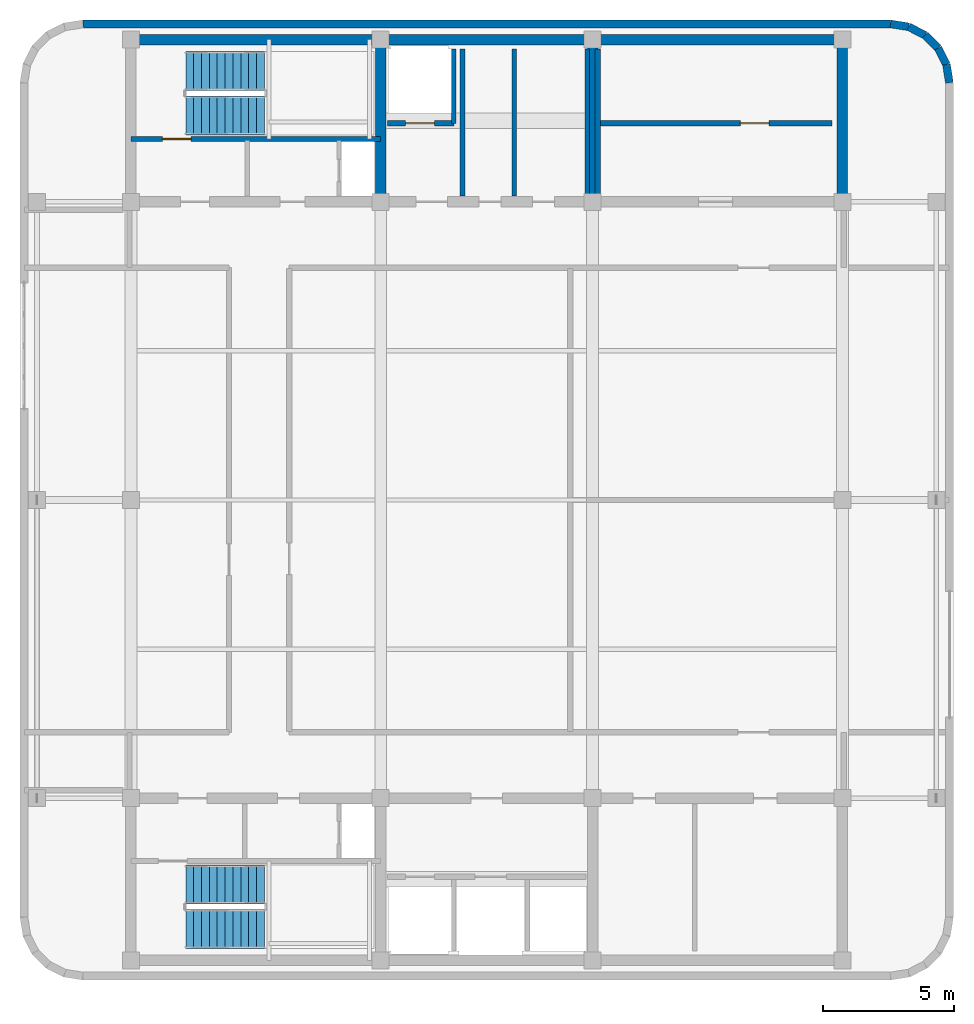
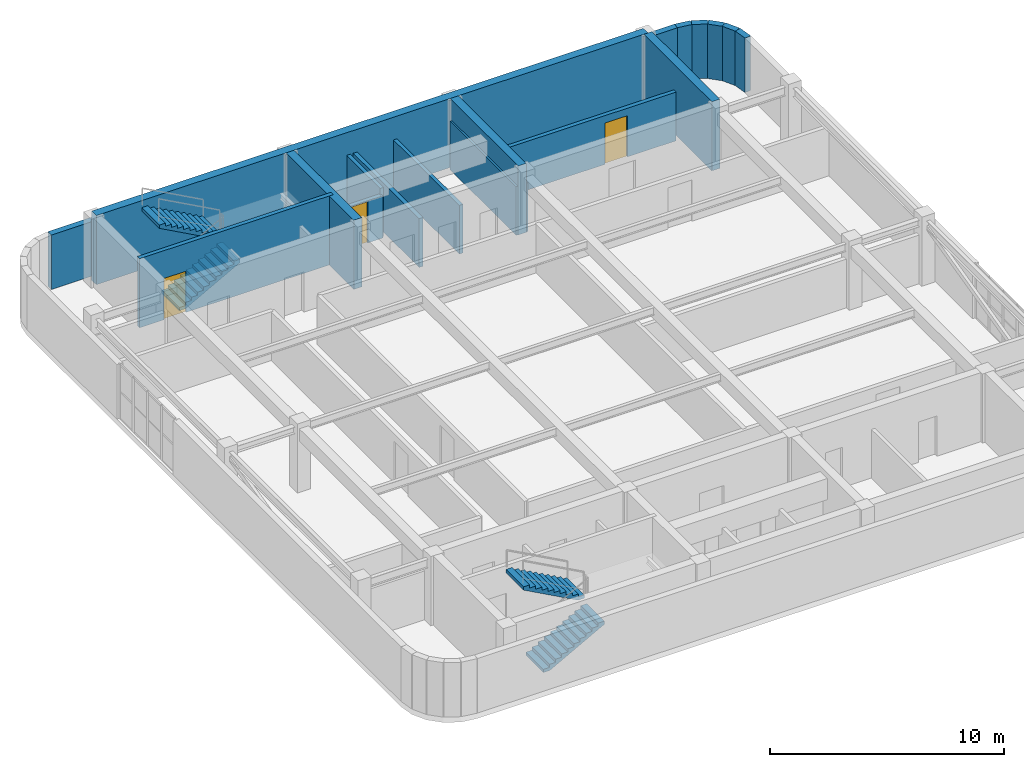
# One storey, part 6 of 9: 18 walls, 4 stair flights, 3 doors, 3 openings, 2 elements without a shape of their own.
"""IFC4 building model written with IfcOpenShell, lengths in metres."""

from ifc_helpers import new_model, si_unit, direction, frame, frame_2d, origin, place, context, subcontext, project, spatial, polyline, rectangle, outline, extrude, material, layer, layer_set, type_object, element, fill, aggregate, save


model = new_model("IFC4")

# Units and contexts
model_context = context("Model", 3, precision=1e-05, world=origin(), true_north=direction((0.0, 1.0)))
body_context = subcontext(model_context, "Body", "Model", "MODEL_VIEW")
ifc_project = project(units=[si_unit("LENGTHUNIT", "METRE"), si_unit("AREAUNIT", "SQUARE_METRE"), si_unit("VOLUMEUNIT", "CUBIC_METRE"), si_unit("PLANEANGLEUNIT", "RADIAN"), si_unit("MASSUNIT", "GRAM", prefix="KILO")], contexts=[model_context])

# Site, building, storey
site_placement = place(None, origin())
site = spatial("IfcSite", under=ifc_project, at=site_placement, CompositionType="ELEMENT")
building_placement = place(site_placement, origin())
building = spatial("IfcBuilding", under=site, at=building_placement, Name="Svetorya Sky Lyceum", CompositionType="ELEMENT")
storey_placement = place(building_placement, frame((0.0, 0.0, 312.800048828125)))
storey = spatial("IfcBuildingStorey", under=building, at=storey_placement, Name="C04", CompositionType="ELEMENT", Elevation=312.800048828125)

# Walls
ifc_material_1 = material(Name="Concrete C40/50", Category="concrete")
ifc_layer_1 = layer(ifc_material_1, 0.39990234375)
ifc_layer_set_1 = layer_set([ifc_layer_1], Name="Concrete C40/50")
wall_type_1 = type_object("IfcWallType", Name="WL-CORE-400", PredefinedType="SHEAR", material=ifc_layer_set_1)
wall_1_placement = place(storey_placement, frame((25.60009765625, 45.800048828125, 0.0), z_axis=(0.0, 0.0, 1.0), x_axis=(1.0, 0.0, 0.0)))
element("IfcWall", 1, at=wall_1_placement, inside=storey, type_object=wall_type_1, Name="C04 NC Outer Core Shear Wall", PredefinedType="SHEAR", context=body_context, shape_type="SweptSolid", body=[
    extrude(rectangle(XDim=27.199951171875, YDim=0.39990234375, at=frame_2d((13.60009765625, 0.0))), origin(), (0.0, 0.0, 1.0), 3.599853515625),
])
for number, where, z_axis, x_axis, name in (
    (2, (52.800048828125, 39.800048828125, 0.0), (0.0, 0.0, 1.0), (0.0, 1.0, 0.0), "C04 NC East Core Shear Wall"),
    (3, (35.14990234375, 39.800048828125, 0.0), (0.0, 0.0, 1.0), (0.0, 1.0, 0.0), "C04 NC Internal Shear Web WEB1"),
    (4, (43.25, 39.800048828125, 0.0), (0.0, 0.0, 1.0), (0.0, 1.0, 0.0), "C04 NC Internal Shear Web WEB2"),
):
    element("IfcWall", number, at=place(storey_placement, frame(where, z_axis=z_axis, x_axis=x_axis)), inside=storey, type_object=wall_type_1, Name=name, PredefinedType="SHEAR", context=body_context, shape_type="SweptSolid", body=[
        extrude(rectangle(XDim=5.800048828125, YDim=0.39990234375, at=frame_2d((2.89990234375, 0.0))), origin(), (0.0, 0.0, 1.0), 3.599853515625),
    ])
ifc_material_2 = material(Name="Putilovo limestone rainscreen on autoclaved cellular masonry", Category="masonry")
ifc_layer_2 = layer(ifc_material_2, 0.300048828125)
ifc_layer_set_2 = layer_set([ifc_layer_2], Name="Putilovo limestone rainscreen on autoclaved cellular masonry")
wall_type_2 = type_object("IfcWallType", Name="WL-EXT-300", PredefinedType="SOLIDWALL", material=ifc_layer_set_2)
for number, where, z_axis, x_axis, name in (
    (5, (56.889892578125, 44.14990234375, 0.0), (0.0, 0.0, 1.0), (-0.156407776626, 0.987692567255, 0.0), "C04 Limestone Exterior Wall 13M"),
    (6, (56.77978515625, 44.84521484375, 0.0), (0.0, 0.0, 1.0), (-0.453998517824, 0.891002438725, 0.0), "C04 Limestone Exterior Wall 14M"),
):
    element("IfcWall", number, at=place(storey_placement, frame(where, z_axis=z_axis, x_axis=x_axis)), inside=storey, type_object=wall_type_2, Name=name, PredefinedType="SOLIDWALL", context=body_context, shape_type="SweptSolid", body=[
        extrude(rectangle(XDim=0.703857421875, YDim=0.300048828125, at=frame_2d((0.35205078125, 0.0))), origin(), (0.0, 0.0, 1.0), 2.83984375),
    ])
wall_2_placement = place(storey_placement, frame((56.460205078125, 45.472412109375, 0.0), z_axis=(0.0, 0.0, 1.0), x_axis=(-0.707106781187, 0.707106781187, 0.0)))
element("IfcWall", 7, at=wall_2_placement, inside=storey, type_object=wall_type_2, Name="C04 Limestone Exterior Wall 15M", PredefinedType="SOLIDWALL", context=body_context, shape_type="SweptSolid", body=[
    extrude(rectangle(XDim=0.7041015625, YDim=0.300048828125, at=frame_2d((0.35205078125, 0.0))), origin(), (0.0, 0.0, 1.0), 2.83984375),
])
for number, where, z_axis, x_axis, name in (
    (8, (55.96240234375, 45.97021484375, 0.0), (0.0, 0.0, 1.0), (-0.891002438725, 0.453998517824, 0.0), "C04 Limestone Exterior Wall 16M"),
    (9, (55.335205078125, 46.289794921875, 0.0), (0.0, 0.0, 1.0), (-0.987692567255, 0.156407776626, 0.0), "C04 Limestone Exterior Wall 17M"),
):
    element("IfcWall", number, at=place(storey_placement, frame(where, z_axis=z_axis, x_axis=x_axis)), inside=storey, type_object=wall_type_2, Name=name, PredefinedType="SOLIDWALL", context=body_context, shape_type="SweptSolid", body=[
        extrude(rectangle(XDim=0.703857421875, YDim=0.300048828125, at=frame_2d((0.35205078125, 0.0))), origin(), (0.0, 0.0, 1.0), 2.83984375),
    ])
wall_3_placement = place(storey_placement, frame((54.639892578125, 46.39990234375, 0.0), z_axis=(0.0, 0.0, 1.0), x_axis=(-1.0, 0.0, 0.0)))
element("IfcWall", 10, at=wall_3_placement, inside=storey, type_object=wall_type_2, Name="C04 Limestone Exterior Wall 18M", PredefinedType="SOLIDWALL", context=body_context, shape_type="SweptSolid", body=[
    extrude(rectangle(XDim=30.8798828125, YDim=0.300048828125, at=frame_2d((15.43994140625, 0.0))), origin(), (0.0, 0.0, 1.0), 2.83984375),
])
ifc_material_3 = material(Name="Autoclaved cellular masonry blockwork with fire render", Category="masonry")
ifc_layer_3 = layer(ifc_material_3, 0.175048828125)
ifc_layer_set_3 = layer_set([ifc_layer_3], Name="Autoclaved cellular masonry blockwork with fire render")
wall_type_3 = type_object("IfcWallType", Name="WL-PART-175", PredefinedType="PARTITIONING", material=ifc_layer_set_3)
wall_4_placement = place(storey_placement, frame((37.949951171875, 42.60009765625, 0.0), z_axis=(0.0, 0.0, 1.0), x_axis=(0.0, 1.0, 0.0)))
element("IfcWall", 11, at=wall_4_placement, inside=storey, type_object=wall_type_3, Name="C04 Interior Partition NC-FL1SIDE", PredefinedType="PARTITIONING", context=body_context, shape_type="SweptSolid", body=[
    extrude(rectangle(XDim=2.849853515625, YDim=0.175048828125, at=frame_2d((1.4248046875, 0.0))), origin(), (0.0, 0.0, 1.0), 2.5400390625),
])
for number, where, z_axis, x_axis, name in (
    (12, (43.050048828125, 39.820068359375, 0.0), (0.0, 0.0, 1.0), (0.0, 1.0, 0.0), "C04 Interior Partition NC-FPM-END"),
    (13, (40.25, 39.820068359375, 0.0), (0.0, 0.0, 1.0), (0.0, 1.0, 0.0), "C04 Interior Partition NC-FPM-V2"),
):
    element("IfcWall", number, at=place(storey_placement, frame(where, z_axis=z_axis, x_axis=x_axis)), inside=storey, type_object=wall_type_3, Name=name, PredefinedType="PARTITIONING", context=body_context, shape_type="SweptSolid", body=[
        extrude(rectangle(XDim=5.6298828125, YDim=0.175048828125, at=frame_2d((2.81494140625, 0.0))), origin(), (0.0, 0.0, 1.0), 2.5400390625),
    ])

# Wall, opening, door
ifc_material_4 = material(Name="Autoclaved cellular masonry blockwork with gypsum plaster", Category="masonry")
ifc_layer_4 = layer(ifc_material_4, 0.199951171875)
ifc_layer_set_4 = layer_set([ifc_layer_4], Name="Autoclaved cellular masonry blockwork with gypsum plaster")
wall_type_4 = type_object("IfcWallType", Name="WL-PART-200", PredefinedType="PARTITIONING", material=ifc_layer_set_4)
wall_5_placement = place(storey_placement, frame((37.949951171875, 42.60009765625, 0.0), z_axis=(0.0, 0.0, 1.0), x_axis=(-1.0, 0.0, 0.0)))
wall_5 = element("IfcWall", 14, at=wall_5_placement, inside=storey, type_object=wall_type_4, Name="C04 Interior Partition NC-FL1W", PredefinedType="PARTITIONING", context=body_context, shape_type="SweptSolid", body=[
    extrude(rectangle(XDim=2.550048828125, YDim=0.199951171875, at=frame_2d((1.27490234375, 0.0))), origin(), (0.0, 0.0, 1.0), 2.199951171875),
])
opening_1_placement = place(wall_5_placement, frame((0.75, 0.0, 0.0)))
opening_1 = element("IfcOpeningElement", 15, at=opening_1_placement, cuts=wall_5, Name="Opening LD-FL", PredefinedType="OPENING", context=body_context, shape_type="SweptSolid", body=[
    extrude(rectangle(XDim=1.10009765625, YDim=2.14990234375, at=frame_2d((0.550048828125, 1.074951171875))), frame((0.0, 0.10986328125, 0.0), z_axis=(0.0, -1.0, 0.0), x_axis=(1.0, 0.0, 0.0)), (0.0, 0.0, 1.0), 0.219970703125),
])
ifc_material_5 = material(Name="Fire-rated stainless AISI 304 firefighting lift landing door")
door_type_1 = type_object("IfcDoorType", Name="DR-LIFT-1100", OperationType="SLIDING_TO_LEFT", PredefinedType="DOOR", material=ifc_material_5)
door_1_placement = place(opening_1_placement, origin())
door_1 = element("IfcDoor", 16, at=door_1_placement, inside=storey, type_object=door_type_1, Name="C04 Firefighting Lift FL1 Landing Door", OperationType="SLIDING_TO_LEFT", OverallHeight=2.14990234375, OverallWidth=1.10009765625, PredefinedType="DOOR", context=body_context, shape_type="SweptSolid", body=[
    extrude(rectangle(XDim=1.10009765625, YDim=2.14990234375, at=frame_2d((0.550048828125, 1.074951171875))), frame((0.0, 0.02490234375, 0.0), z_axis=(0.0, -1.0, 0.0), x_axis=(1.0, 0.0, 0.0)), (0.0, 0.0, 1.0), 0.050048828125),
])
fill(opening_1, door_1)

# Walls
for number, where, z_axis, x_axis, name in (
    (17, (38.280029296875, 39.820068359375, 0.0), (0.0, 0.0, 1.0), (0.0, 1.0, 0.0), "C04 Interior Partition NC-FFLDIV"),
    (18, (43.449951171875, 39.820068359375, 0.0), (0.0, 0.0, 1.0), (0.0, 1.0, 0.0), "C04 Interior Partition NC-CPMR-W"),
):
    element("IfcWall", number, at=place(storey_placement, frame(where, z_axis=z_axis, x_axis=x_axis)), inside=storey, type_object=wall_type_4, Name=name, PredefinedType="PARTITIONING", context=body_context, shape_type="SweptSolid", body=[
        extrude(rectangle(XDim=5.6298828125, YDim=0.199951171875, at=frame_2d((2.81494140625, 0.0))), origin(), (0.0, 0.0, 1.0), 2.5400390625),
    ])

# Wall, opening, door
wall_6_placement = place(storey_placement, frame((52.39990234375, 42.60009765625, 0.0), z_axis=(0.0, 0.0, 1.0), x_axis=(-1.0, 0.0, 0.0)))
wall_6 = element("IfcWall", 19, at=wall_6_placement, inside=storey, type_object=wall_type_4, Name="C04 Interior Partition NC-PHW", PredefinedType="PARTITIONING", context=body_context, shape_type="SweptSolid", body=[
    extrude(rectangle(XDim=8.849853515625, YDim=0.199951171875, at=frame_2d((4.4248046875, 0.0))), origin(), (0.0, 0.0, 1.0), 2.5400390625),
])
opening_2_placement = place(wall_6_placement, frame((2.39990234375, 0.0, 0.0)))
opening_2 = element("IfcOpeningElement", 20, at=opening_2_placement, cuts=wall_6, Name="Opening D-ST1", PredefinedType="OPENING", context=body_context, shape_type="SweptSolid", body=[
    extrude(rectangle(XDim=1.10009765625, YDim=2.14990234375, at=frame_2d((0.550048828125, 1.074951171875))), frame((0.0, 0.10986328125, 0.0), z_axis=(0.0, -1.0, 0.0), x_axis=(1.0, 0.0, 0.0)), (0.0, 0.0, 1.0), 0.219970703125),
])
ifc_material_6 = material(Name="Powder-coated insulated galvanized stair fire door")
door_type_2 = type_object("IfcDoorType", Name="DR-FIRE-1100", OperationType="SINGLE_SWING_LEFT", PredefinedType="DOOR", material=ifc_material_6)
door_2_placement = place(opening_2_placement, origin())
door_2 = element("IfcDoor", 21, at=door_2_placement, inside=storey, type_object=door_type_2, Name="C04 Lift Motor Room Door", OperationType="SINGLE_SWING_LEFT", OverallHeight=2.14990234375, OverallWidth=1.10009765625, PredefinedType="DOOR", context=body_context, shape_type="SweptSolid", body=[
    extrude(rectangle(XDim=1.10009765625, YDim=2.14990234375, at=frame_2d((0.550048828125, 1.074951171875))), frame((0.0, 0.02490234375, 0.0), z_axis=(0.0, -1.0, 0.0), x_axis=(1.0, 0.0, 0.0)), (0.0, 0.0, 1.0), 0.050048828125),
])
fill(opening_2, door_2)

ifc_material_7 = material(Name="Concrete C50/60", Category="concrete")
ifc_layer_5 = layer(ifc_material_7, 0.199951171875)
ifc_layer_set_5 = layer_set([ifc_layer_5], Name="Concrete C50/60")
wall_type_5 = type_object("IfcWallType", Name="WL-SHW-200", PredefinedType="SHEAR", material=ifc_layer_set_5)
wall_7_placement = place(storey_placement, frame((35.14990234375, 42.0, 0.0), z_axis=(0.0, 0.0, 1.0), x_axis=(-1.0, 0.0, 0.0)))
wall_7 = element("IfcWall", 22, at=wall_7_placement, inside=storey, type_object=wall_type_5, Name="C04 Structural Stair Shaft Wall NC-STW", PredefinedType="SHEAR", context=body_context, shape_type="SweptSolid", body=[
    extrude(rectangle(XDim=9.5498046875, YDim=0.199951171875, at=frame_2d((4.77490234375, 0.0))), origin(), (0.0, 0.0, 1.0), 3.599853515625),
])
opening_3_placement = place(wall_7_placement, frame((7.25, 0.0, 0.0)))
opening_3 = element("IfcOpeningElement", 23, at=opening_3_placement, cuts=wall_7, Name="Opening D-ST1", PredefinedType="OPENING", context=body_context, shape_type="SweptSolid", body=[
    extrude(rectangle(XDim=1.10009765625, YDim=2.14990234375, at=frame_2d((0.550048828125, 1.074951171875))), frame((0.0, 0.10986328125, 0.0), z_axis=(0.0, -1.0, 0.0), x_axis=(1.0, 0.0, 0.0)), (0.0, 0.0, 1.0), 0.219970703125),
])
door_3_placement = place(opening_3_placement, origin())
door_3 = element("IfcDoor", 24, at=door_3_placement, inside=storey, type_object=door_type_2, Name="C04 Stair ST-N Vestibule Fire Door", OperationType="SINGLE_SWING_RIGHT", OverallHeight=2.14990234375, OverallWidth=1.10009765625, PredefinedType="DOOR", context=body_context, shape_type="SweptSolid", body=[
    extrude(rectangle(XDim=1.10009765625, YDim=2.14990234375, at=frame_2d((0.550048828125, 1.074951171875))), frame((0.0, 0.02490234375, 0.0), z_axis=(0.0, -1.0, 0.0), x_axis=(1.0, 0.0, 0.0)), (0.0, 0.0, 1.0), 0.050048828125),
])
fill(opening_3, door_3)

# Stair, stair flights
stair_type_1 = type_object("IfcStairType", Name="STR-ST-N", PredefinedType="HALF_TURN_STAIR", material=ifc_material_1)
stair_1_placement = place(storey_placement, origin())
stair_1 = element("IfcStair", 25, at=stair_1_placement, inside=storey, type_object=stair_type_1, Name="C04 North Core Smoke-Free Exit Stair N3", PredefinedType="HALF_TURN_STAIR")
stair_flight_type_1 = type_object("IfcStairFlightType", Name="SFL-ST-N", PredefinedType="STRAIGHT", material=ifc_material_1)
stair_flight_1_placement = place(storey_placement, frame((27.699951171875, 42.89990234375, 0.0), z_axis=(0.0, 0.0, 1.0), x_axis=(1.0, 0.0, 0.0)))
stair_flight_1 = element("IfcStairFlight", 26, at=stair_flight_1_placement, type_object=stair_flight_type_1, Name="ST-N flight 1", NumberOfRisers=11, NumberOfTreads=10, PredefinedType="STRAIGHT", RiserHeight=0.163636364, TreadLength=0.3, context=body_context, shape_type="SweptSolid", body=[
    extrude(outline(polyline([(0.0, 0.0), (0.0, 0.16357421875), (0.300048828125, 0.16357421875), (0.300048828125, 0.327392578125), (0.60009765625, 0.327392578125), (0.60009765625, 0.490966796875), (0.89990234375, 0.490966796875), (0.89990234375, 0.654541015625), (1.199951171875, 0.654541015625), (1.199951171875, 0.818115234375), (1.5, 0.818115234375), (1.5, 0.98193359375), (1.800048828125, 0.98193359375), (1.800048828125, 1.1455078125), (2.10009765625, 1.1455078125), (2.10009765625, 1.30908203125), (2.39990234375, 1.30908203125), (2.39990234375, 1.47265625), (2.699951171875, 1.47265625), (2.699951171875, 1.636474609375), (3.0, 1.636474609375), (3.0, 1.800048828125), (3.0, 1.465576171875), (0.31298828125, 0.0), (0.0, 0.0)])), frame((0.0, 0.75, 0.0), z_axis=(0.0, -1.0, 0.0), x_axis=(1.0, 0.0, 0.0)), (0.0, 0.0, 1.0), 1.5),
])
stair_flight_2_placement = place(storey_placement, frame((30.699951171875, 44.60009765625, 1.800048828125), z_axis=(0.0, 0.0, 1.0), x_axis=(-1.0, 0.0, 0.0)))
stair_flight_2 = element("IfcStairFlight", 27, at=stair_flight_2_placement, type_object=stair_flight_type_1, Name="ST-N flight 2", NumberOfRisers=11, NumberOfTreads=10, PredefinedType="STRAIGHT", RiserHeight=0.163636364, TreadLength=0.3, context=body_context, shape_type="SweptSolid", body=[
    extrude(outline(polyline([(0.0, 0.0), (0.0, 0.16357421875), (0.300048828125, 0.16357421875), (0.300048828125, 0.327392578125), (0.60009765625, 0.327392578125), (0.60009765625, 0.490966796875), (0.89990234375, 0.490966796875), (0.89990234375, 0.654541015625), (1.199951171875, 0.654541015625), (1.199951171875, 0.818115234375), (1.5, 0.818115234375), (1.5, 0.98193359375), (1.800048828125, 0.98193359375), (1.800048828125, 1.1455078125), (2.10009765625, 1.1455078125), (2.10009765625, 1.30908203125), (2.39990234375, 1.30908203125), (2.39990234375, 1.47265625), (2.699951171875, 1.47265625), (2.699951171875, 1.636474609375), (3.0, 1.636474609375), (3.0, 1.800048828125), (3.0, 1.465576171875), (0.31298828125, 0.0), (0.0, 0.0)])), frame((0.0, 0.75, 0.0), z_axis=(0.0, -1.0, 0.0), x_axis=(1.0, 0.0, 0.0)), (0.0, 0.0, 1.0), 1.5),
])
aggregate(stair_1, [stair_flight_1, stair_flight_2])

stair_type_2 = type_object("IfcStairType", Name="STR-ST-S", PredefinedType="HALF_TURN_STAIR", material=ifc_material_1)
stair_2_placement = place(storey_placement, origin())
stair_2 = element("IfcStair", 28, at=stair_2_placement, inside=storey, type_object=stair_type_2, Name="C04 South Core Smoke-Free Exit Stair N2", PredefinedType="HALF_TURN_STAIR")
stair_flight_type_2 = type_object("IfcStairFlightType", Name="SFL-ST-S", PredefinedType="STRAIGHT", material=ifc_material_1)
stair_flight_3_placement = place(storey_placement, frame((27.699951171875, 11.800048828125, 0.0), z_axis=(0.0, 0.0, 1.0), x_axis=(1.0, 0.0, 0.0)))
stair_flight_3 = element("IfcStairFlight", 29, at=stair_flight_3_placement, type_object=stair_flight_type_2, Name="ST-S flight 1", NumberOfRisers=11, NumberOfTreads=10, PredefinedType="STRAIGHT", RiserHeight=0.163636364, TreadLength=0.3, context=body_context, shape_type="SweptSolid", body=[
    extrude(outline(polyline([(0.0, 0.0), (0.0, 0.16357421875), (0.300048828125, 0.16357421875), (0.300048828125, 0.327392578125), (0.60009765625, 0.327392578125), (0.60009765625, 0.490966796875), (0.89990234375, 0.490966796875), (0.89990234375, 0.654541015625), (1.199951171875, 0.654541015625), (1.199951171875, 0.818115234375), (1.5, 0.818115234375), (1.5, 0.98193359375), (1.800048828125, 0.98193359375), (1.800048828125, 1.1455078125), (2.10009765625, 1.1455078125), (2.10009765625, 1.30908203125), (2.39990234375, 1.30908203125), (2.39990234375, 1.47265625), (2.699951171875, 1.47265625), (2.699951171875, 1.636474609375), (3.0, 1.636474609375), (3.0, 1.800048828125), (3.0, 1.465576171875), (0.31298828125, 0.0), (0.0, 0.0)])), frame((0.0, 0.75, 0.0), z_axis=(0.0, -1.0, 0.0), x_axis=(1.0, 0.0, 0.0)), (0.0, 0.0, 1.0), 1.5),
])
stair_flight_4_placement = place(storey_placement, frame((30.699951171875, 13.5, 1.800048828125), z_axis=(0.0, 0.0, 1.0), x_axis=(-1.0, 0.0, 0.0)))
stair_flight_4 = element("IfcStairFlight", 30, at=stair_flight_4_placement, type_object=stair_flight_type_2, Name="ST-S flight 2", NumberOfRisers=11, NumberOfTreads=10, PredefinedType="STRAIGHT", RiserHeight=0.163636364, TreadLength=0.3, context=body_context, shape_type="SweptSolid", body=[
    extrude(outline(polyline([(0.0, 0.0), (0.0, 0.16357421875), (0.300048828125, 0.16357421875), (0.300048828125, 0.327392578125), (0.60009765625, 0.327392578125), (0.60009765625, 0.490966796875), (0.89990234375, 0.490966796875), (0.89990234375, 0.654541015625), (1.199951171875, 0.654541015625), (1.199951171875, 0.818115234375), (1.5, 0.818115234375), (1.5, 0.98193359375), (1.800048828125, 0.98193359375), (1.800048828125, 1.1455078125), (2.10009765625, 1.1455078125), (2.10009765625, 1.30908203125), (2.39990234375, 1.30908203125), (2.39990234375, 1.47265625), (2.699951171875, 1.47265625), (2.699951171875, 1.636474609375), (3.0, 1.636474609375), (3.0, 1.800048828125), (3.0, 1.465576171875), (0.31298828125, 0.0), (0.0, 0.0)])), frame((0.0, 0.75, 0.0), z_axis=(0.0, -1.0, 0.0), x_axis=(1.0, 0.0, 0.0)), (0.0, 0.0, 1.0), 1.5),
])
aggregate(stair_2, [stair_flight_3, stair_flight_4])

save(model, "model.ifc")
